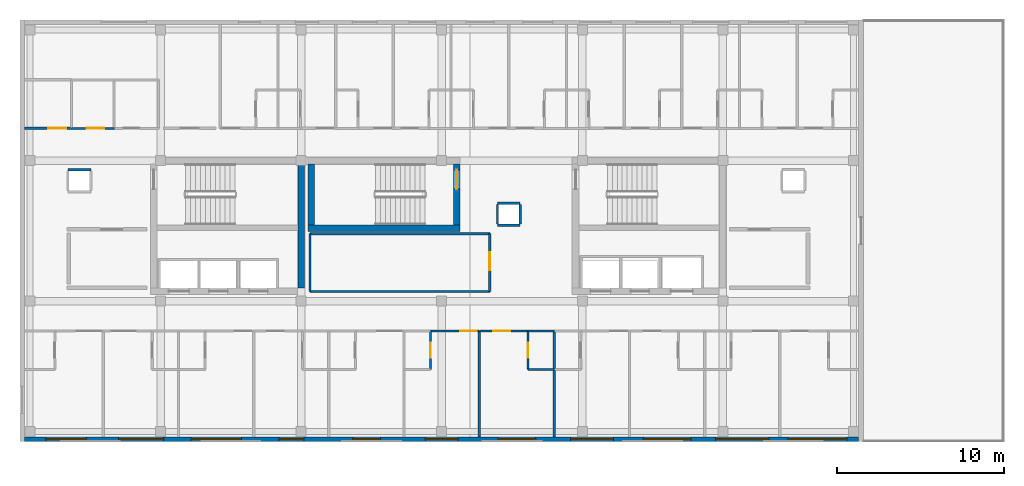
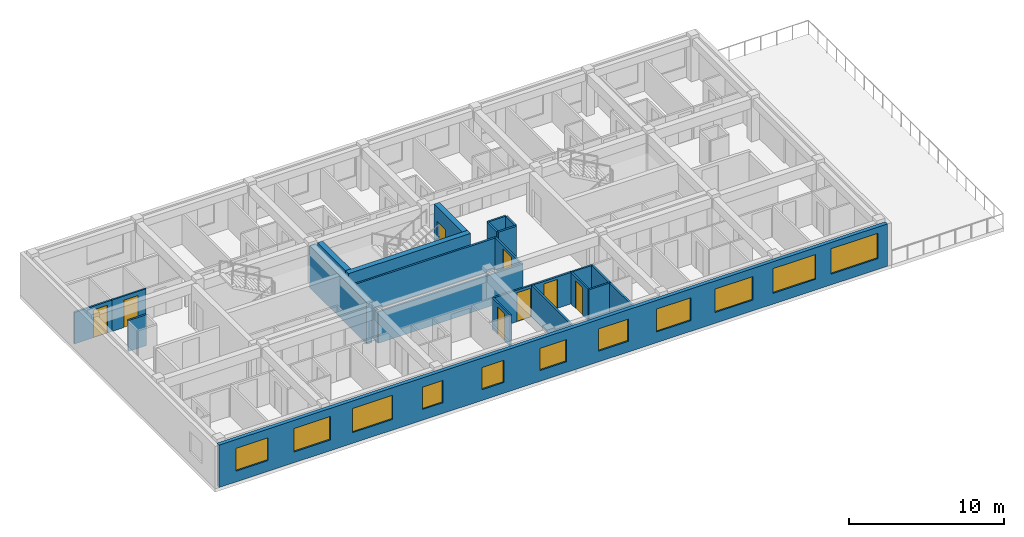
# One storey, part 3 of 9: 24 walls, 11 windows, 8 doors, 19 openings.
"""IFC4 building model written with IfcOpenShell, lengths in metres."""

import ifcopenshell
import ifcopenshell.guid

model = None  # the IFC model being written
_history = None  # IfcOwnerHistory: only IFC2X3 demands one
_inside = {}  # id of a spatial element -> (the spatial element, [elements in it])
_under = {}  # id of a project, library or spatial element -> (it, [spatial elements below it])
_declared = {}  # id of a project -> (the project, [libraries it declares])
_typed = {}  # id of a type object -> (the type object, [elements of that type])
_made_of = {}  # id of a material, layer set ... -> (it, [elements and type objects made of it])


def new_model(schema):
    """Start an empty IFC model of exactly this schema.

    Asked for "IFC4X3", IfcOpenShell would pick the latest addendum, in which some entities
    have other attributes; the version numbers below select the first issue.
    IFC2X3 requires an IfcOwnerHistory on every rooted entity: one is made here for all.
    """
    global model, _history
    if schema == "IFC4X3":
        model = ifcopenshell.file(schema_version=(4, 3, 0, 0))
    else:
        model = ifcopenshell.file(schema=schema)
    _inside.clear()
    _under.clear()
    _declared.clear()
    _typed.clear()
    _made_of.clear()
    _history = None
    if model.schema == "IFC2X3":
        org = make("IfcOrganization", Name="unknown")
        user = make(
            "IfcPersonAndOrganization",
            ThePerson=make("IfcPerson", FamilyName="unknown"),
            TheOrganization=org,
        )
        app = make(
            "IfcApplication",
            ApplicationDeveloper=org,
            Version="unknown",
            ApplicationFullName="unknown",
            ApplicationIdentifier="unknown",
        )
        _history = make(
            "IfcOwnerHistory",
            OwningUser=user,
            OwningApplication=app,
            ChangeAction="ADDED",
            CreationDate=0,
        )
    return model


def make(cls, **values):
    """One entity of the class cls with the attributes given. An attribute that is None is left unset."""
    return model.create_entity(
        cls, **{name: value for name, value in values.items() if value is not None}
    )


def rooted(cls, **values):
    """An entity with a GlobalId (a new one), such as an element, a storey or a relation."""
    return make(cls, GlobalId=ifcopenshell.guid.new(), OwnerHistory=_history, **values)


def si_unit(unit_type, name, prefix=None):
    """IfcSIUnit, for example si_unit("LENGTHUNIT", "METRE", prefix="MILLI")."""
    return make("IfcSIUnit", UnitType=unit_type, Prefix=prefix, Name=name)


def assignment(units):
    """IfcUnitAssignment: the units of a project."""
    return None if units is None else make("IfcUnitAssignment", Units=units)


def point(xyz):
    """IfcCartesianPoint."""
    return None if xyz is None else make("IfcCartesianPoint", Coordinates=xyz)


def direction(xyz):
    """IfcDirection."""
    return None if xyz is None else make("IfcDirection", DirectionRatios=xyz)


def frame(location, z_axis=None, x_axis=None):
    """IfcAxis2Placement3D, a coordinate frame: its origin and axes. An axis left out is left unset."""
    return make(
        "IfcAxis2Placement3D",
        Location=point(location),
        Axis=direction(z_axis),
        RefDirection=direction(x_axis),
    )


def frame_2d(location, x_axis=None):
    """IfcAxis2Placement2D, a coordinate frame in the plane: its origin and x axis."""
    return make(
        "IfcAxis2Placement2D", Location=point(location), RefDirection=direction(x_axis)
    )


def origin():
    """The frame at (0, 0, 0) with its axes left unset."""
    return frame((0.0, 0.0, 0.0))


def place(relative_to, where):
    """IfcLocalPlacement: puts the frame where relative to a parent placement (None: the world)."""
    return make(
        "IfcLocalPlacement", PlacementRelTo=relative_to, RelativePlacement=where
    )


def context(
    kind, dimensions, precision=None, world=None, true_north=None, identifier=None
):
    """IfcGeometricRepresentationContext, for example the 3D "Model" context."""
    return make(
        "IfcGeometricRepresentationContext",
        ContextIdentifier=identifier,
        ContextType=kind,
        CoordinateSpaceDimension=dimensions,
        Precision=precision,
        WorldCoordinateSystem=world,
        TrueNorth=true_north,
    )


def subcontext(parent, identifier, kind, view, scale=None):
    """IfcGeometricRepresentationSubContext, for example "Body" below "Model"."""
    return make(
        "IfcGeometricRepresentationSubContext",
        ContextIdentifier=identifier,
        ContextType=kind,
        ParentContext=parent,
        TargetScale=scale,
        TargetView=view,
    )


def project(units=None, contexts=None):
    """IfcProject with its units and contexts."""
    return rooted(
        "IfcProject",
        Name="project",
        RepresentationContexts=contexts,
        UnitsInContext=assignment(units),
    )


def spatial(cls, under=None, at=None, **own):
    """A site, building, storey or space (cls), placed at a placement, below another one or the project."""
    s = rooted(cls, ObjectPlacement=at, **own)
    if under is not None:
        _under.setdefault(under.id(), (under, []))[1].append(s)
    return s


def profile(cls, at=None, kind="AREA", **sizes):
    """A parametric profile (cls). Its sizes go by their IFC names, for example OverallWidth=200.0."""
    return make(cls, ProfileType=kind, Position=at, **sizes)


def rectangle(**sizes):
    """IfcRectangleProfileDef."""
    return profile("IfcRectangleProfileDef", **sizes)


def extrude(swept, where, along, depth):
    """IfcExtrudedAreaSolid: the profile swept, set in the frame where, extruded along a direction by depth."""
    return make(
        "IfcExtrudedAreaSolid",
        SweptArea=swept,
        Position=where,
        ExtrudedDirection=direction(along),
        Depth=depth,
    )


def shape(context_of_items, identifier, shape_type, items):
    """IfcShapeRepresentation: the items that make up one representation, for example the "Body"."""
    return make(
        "IfcShapeRepresentation",
        ContextOfItems=context_of_items,
        RepresentationIdentifier=identifier,
        RepresentationType=shape_type,
        Items=items,
    )


def material(Name=None, Category=None):
    """IfcMaterial."""
    return make("IfcMaterial", Name=Name, Category=Category)


def layer(
    of_material, thickness, ventilated=None, Name=None, Category=None, Priority=None
):
    """IfcMaterialLayer: one layer of a wall or slab, of a material (None: an air gap)."""
    return make(
        "IfcMaterialLayer",
        Material=of_material,
        LayerThickness=thickness,
        IsVentilated=ventilated,
        Name=Name,
        Category=Category,
        Priority=Priority,
    )


def layer_set(layers, Name=None):
    """IfcMaterialLayerSet."""
    return make("IfcMaterialLayerSet", MaterialLayers=layers, LayerSetName=Name)


def made_of(thing, what):
    """Note that an element or type object is made of a material, layer set ...; save() writes the relation."""
    if what is not None:
        _made_of.setdefault(what.id(), (what, []))[1].append(thing)
    return thing


def type_object(cls, material=None, **own):
    """A type object (cls), such as IfcWallType, which elements share."""
    return made_of(rooted(cls, **own), material)


def element(
    cls,
    number,
    at=None,
    inside=None,
    cuts=None,
    type_object=None,
    material=None,
    context=None,
    identifier="Body",
    shape_type=None,
    held_by="IfcProductDefinitionShape",
    body=None,
    shapes=None,
    **own,
):
    """One element of the class cls, such as IfcWall. Its Tag is "e" and its number.

    at: its placement. inside: the storey or other place that contains it. cuts: it is an
    opening in that element (IfcRelVoidsElement). A single representation is given by context,
    identifier, shape_type and body (its items); several are given by shapes. held_by: the class
    of the entity that holds the representations. save() writes the other relations.
    """
    e = rooted(cls, Tag="e%d" % number, ObjectPlacement=at, **own)
    if body is not None:
        shapes = [shape(context, identifier, shape_type, body)]
    if shapes is not None:
        e.Representation = make(held_by, Representations=shapes)
    if inside is not None:
        _inside.setdefault(inside.id(), (inside, []))[1].append(e)
    if cuts is not None:
        rooted(
            "IfcRelVoidsElement", RelatingBuildingElement=cuts, RelatedOpeningElement=e
        )
    if type_object is not None:
        _typed.setdefault(type_object.id(), (type_object, []))[1].append(e)
    return made_of(e, material)


def fill(opening, filler):
    """IfcRelFillsElement: the door or window that sits in an opening."""
    return rooted(
        "IfcRelFillsElement",
        RelatingOpeningElement=opening,
        RelatedBuildingElement=filler,
    )


def aggregate(whole, parts):
    """IfcRelAggregates: a whole, such as a stair, and the parts it consists of."""
    return rooted("IfcRelAggregates", RelatingObject=whole, RelatedObjects=parts)


def save(model, path):
    """Write the relations noted so far, then the file.

    IfcRelAggregates (storeys below a building ...), IfcRelContainedInSpatialStructure (elements
    in a storey), IfcRelDefinesByType, IfcRelAssociatesMaterial and IfcRelDeclares: one each for
    every whole, place, type object, material and project.
    """
    for whole, parts in _under.values():
        aggregate(whole, parts)
    for where, things in _inside.values():
        rooted(
            "IfcRelContainedInSpatialStructure",
            RelatedElements=things,
            RelatingStructure=where,
        )
    for kind, things in _typed.values():
        rooted("IfcRelDefinesByType", RelatedObjects=things, RelatingType=kind)
    for what, things in _made_of.values():
        rooted("IfcRelAssociatesMaterial", RelatedObjects=things, RelatingMaterial=what)
    for by, libraries in _declared.values():
        rooted("IfcRelDeclares", RelatingContext=by, RelatedDefinitions=libraries)
    model.write(path)


model = new_model("IFC4")

# Units and contexts
model_context = context("Model", 3, precision=1e-05, world=origin(), true_north=direction((0.0, 1.0)))
body_context = subcontext(model_context, "Body", "Model", "MODEL_VIEW")
ifc_project = project(units=[si_unit("LENGTHUNIT", "METRE"), si_unit("AREAUNIT", "SQUARE_METRE"), si_unit("VOLUMEUNIT", "CUBIC_METRE"), si_unit("PLANEANGLEUNIT", "RADIAN"), si_unit("MASSUNIT", "GRAM", prefix="KILO")], contexts=[model_context])

# Site, building, storey
site_placement = place(None, origin())
site = spatial("IfcSite", under=ifc_project, at=site_placement, CompositionType="ELEMENT")
building_placement = place(site_placement, origin())
building = spatial("IfcBuilding", under=site, at=building_placement, Name="Zayran Congress Hotel", CompositionType="ELEMENT")
storey_placement = place(building_placement, frame((0.0, 0.0, 40.800048828125)))
storey = spatial("IfcBuildingStorey", under=building, at=storey_placement, Name="L10", CompositionType="ELEMENT", Elevation=40.800048828125)

# Wall, openings, windows
ifc_material_1 = material(Name="Hajar Ma'ani limestone cavity wall and concrete C32/40", Category="masonry")
ifc_layer_1 = layer(ifc_material_1, 0.280029296875)
ifc_layer_set_1 = layer_set([ifc_layer_1], Name="Hajar Ma'ani limestone cavity wall and concrete C32/40")
wall_type_1 = type_object("IfcWallType", Name="WL-EX-280", PredefinedType="SOLIDWALL", material=ifc_layer_set_1)
wall_1_placement = place(storey_placement, frame((66.919921875, 8.93994140625, 0.0), z_axis=(0.0, 0.0, 1.0), x_axis=(-1.0, 0.0, 0.0)))
wall_1 = element("IfcWall", 1, at=wall_1_placement, inside=storey, type_object=wall_type_1, Name="EW-V5-S-L10", PredefinedType="SOLIDWALL", context=body_context, shape_type="SweptSolid", body=[
    extrude(rectangle(XDim=49.83984375, YDim=0.280029296875, at=frame_2d((24.919921875, 0.0))), origin(), (0.0, 0.0, 1.0), 3.33984375),
])
opening_1_placement = place(wall_1_placement, frame((46.175048828125, 0.0, 0.85009765625)))
opening_1 = element("IfcOpeningElement", 2, at=opening_1_placement, cuts=wall_1, Name="Opening WN-03", PredefinedType="OPENING", context=body_context, shape_type="SweptSolid", body=[
    extrude(rectangle(XDim=2.39990234375, YDim=1.800048828125, at=frame_2d((1.199951171875, 0.89990234375))), frame((0.0, 0.14990234375, 0.0), z_axis=(0.0, -1.0, 0.0), x_axis=(1.0, 0.0, 0.0)), (0.0, 0.0, 1.0), 0.300048828125),
])
opening_2_placement = place(wall_1_placement, frame((41.532958984375, 0.0, 0.85009765625)))
opening_2 = element("IfcOpeningElement", 3, at=opening_2_placement, cuts=wall_1, Name="Opening WN-04", PredefinedType="OPENING", context=body_context, shape_type="SweptSolid", body=[
    extrude(rectangle(XDim=2.699951171875, YDim=1.85009765625, at=frame_2d((1.35009765625, 0.925048828125))), frame((0.0, 0.14990234375, 0.0), z_axis=(0.0, -1.0, 0.0), x_axis=(1.0, 0.0, 0.0)), (0.0, 0.0, 1.0), 0.300048828125),
])
opening_3_placement = place(wall_1_placement, frame((36.89208984375, 0.0, 0.85009765625)))
opening_3 = element("IfcOpeningElement", 4, at=opening_3_placement, cuts=wall_1, Name="Opening WN-05", PredefinedType="OPENING", context=body_context, shape_type="SweptSolid", body=[
    extrude(rectangle(XDim=3.0, YDim=1.89990234375, at=frame_2d((1.5, 0.949951171875))), frame((0.0, 0.14990234375, 0.0), z_axis=(0.0, -1.0, 0.0), x_axis=(1.0, 0.0, 0.0)), (0.0, 0.0, 1.0), 0.300048828125),
])
opening_4_placement = place(wall_1_placement, frame((33.15087890625, 0.0, 0.85009765625)))
opening_4 = element("IfcOpeningElement", 5, at=opening_4_placement, cuts=wall_1, Name="Opening WN-06", PredefinedType="OPENING", context=body_context, shape_type="SweptSolid", body=[
    extrude(rectangle(XDim=1.5, YDim=1.75, at=frame_2d((0.75, 0.875))), frame((0.0, 0.14990234375, 0.0), z_axis=(0.0, -1.0, 0.0), x_axis=(1.0, 0.0, 0.0)), (0.0, 0.0, 1.0), 0.300048828125),
])
opening_5_placement = place(wall_1_placement, frame((28.5849609375, 0.0, 0.85009765625)))
opening_5 = element("IfcOpeningElement", 6, at=opening_5_placement, cuts=wall_1, Name="Opening WN-07", PredefinedType="OPENING", context=body_context, shape_type="SweptSolid", body=[
    extrude(rectangle(XDim=1.64990234375, YDim=1.75, at=frame_2d((0.824951171875, 0.875))), frame((0.0, 0.14990234375, 0.0), z_axis=(0.0, -1.0, 0.0), x_axis=(1.0, 0.0, 0.0)), (0.0, 0.0, 1.0), 0.300048828125),
])
opening_6_placement = place(wall_1_placement, frame((23.945068359375, 0.0, 0.85009765625)))
opening_6 = element("IfcOpeningElement", 7, at=opening_6_placement, cuts=wall_1, Name="Opening WN-08", PredefinedType="OPENING", context=body_context, shape_type="SweptSolid", body=[
    extrude(rectangle(XDim=1.949951171875, YDim=1.75, at=frame_2d((0.97509765625, 0.875))), frame((0.0, 0.14990234375, 0.0), z_axis=(0.0, -1.0, 0.0), x_axis=(1.0, 0.0, 0.0)), (0.0, 0.0, 1.0), 0.300048828125),
])
opening_7_placement = place(wall_1_placement, frame((19.304931640625, 0.0, 0.85009765625)))
opening_7 = element("IfcOpeningElement", 8, at=opening_7_placement, cuts=wall_1, Name="Opening WN-09", PredefinedType="OPENING", context=body_context, shape_type="SweptSolid", body=[
    extrude(rectangle(XDim=2.25, YDim=1.75, at=frame_2d((1.125, 0.875))), frame((0.0, 0.14990234375, 0.0), z_axis=(0.0, -1.0, 0.0), x_axis=(1.0, 0.0, 0.0)), (0.0, 0.0, 1.0), 0.300048828125),
])
opening_8_placement = place(wall_1_placement, frame((14.6640625, 0.0, 0.85009765625)))
opening_8 = element("IfcOpeningElement", 9, at=opening_8_placement, cuts=wall_1, Name="Opening WN-10", PredefinedType="OPENING", context=body_context, shape_type="SweptSolid", body=[
    extrude(rectangle(XDim=2.550048828125, YDim=1.800048828125, at=frame_2d((1.27490234375, 0.89990234375))), frame((0.0, 0.14990234375, 0.0), z_axis=(0.0, -1.0, 0.0), x_axis=(1.0, 0.0, 0.0)), (0.0, 0.0, 1.0), 0.300048828125),
])
opening_9_placement = place(wall_1_placement, frame((10.02294921875, 0.0, 0.85009765625)))
opening_9 = element("IfcOpeningElement", 10, at=opening_9_placement, cuts=wall_1, Name="Opening WN-11", PredefinedType="OPENING", context=body_context, shape_type="SweptSolid", body=[
    extrude(rectangle(XDim=2.85009765625, YDim=1.85009765625, at=frame_2d((1.425048828125, 0.925048828125))), frame((0.0, 0.14990234375, 0.0), z_axis=(0.0, -1.0, 0.0), x_axis=(1.0, 0.0, 0.0)), (0.0, 0.0, 1.0), 0.300048828125),
])
opening_10_placement = place(wall_1_placement, frame((5.35693359375, 0.0, 0.85009765625)))
opening_10 = element("IfcOpeningElement", 11, at=opening_10_placement, cuts=wall_1, Name="Opening WN-12", PredefinedType="OPENING", context=body_context, shape_type="SweptSolid", body=[
    extrude(rectangle(XDim=3.199951171875, YDim=1.949951171875, at=frame_2d((1.60009765625, 0.97509765625))), frame((0.0, 0.14990234375, 0.0), z_axis=(0.0, -1.0, 0.0), x_axis=(1.0, 0.0, 0.0)), (0.0, 0.0, 1.0), 0.300048828125),
])
opening_11_placement = place(wall_1_placement, frame((0.716064453125, 0.0, 0.85009765625)))
opening_11 = element("IfcOpeningElement", 12, at=opening_11_placement, cuts=wall_1, Name="Opening WN-13", PredefinedType="OPENING", context=body_context, shape_type="SweptSolid", body=[
    extrude(rectangle(XDim=3.5, YDim=2.0, at=frame_2d((1.75, 1.0))), frame((0.0, 0.14990234375, 0.0), z_axis=(0.0, -1.0, 0.0), x_axis=(1.0, 0.0, 0.0)), (0.0, 0.0, 1.0), 0.300048828125),
])
ifc_material_2 = material(Name="Anodised aluminium and low-E insulated glass", Category="aluminium")
window_type_1 = type_object("IfcWindowType", Name="TP-WN-03", PartitioningType="DOUBLE_PANEL_VERTICAL", PredefinedType="WINDOW", material=ifc_material_2)
window_1_placement = place(opening_1_placement, origin())
window_1 = element("IfcWindow", 13, at=window_1_placement, inside=storey, type_object=window_type_1, Name="WIN-V5S-L10-0442", OverallHeight=1.800048828125, OverallWidth=2.39990234375, PartitioningType="SINGLE_PANEL", PredefinedType="WINDOW", context=body_context, shape_type="SweptSolid", body=[
    extrude(rectangle(XDim=2.39990234375, YDim=1.800048828125, at=frame_2d((1.199951171875, 0.89990234375))), frame((0.0, 0.030029296875, 0.0), z_axis=(0.0, -1.0, 0.0), x_axis=(1.0, 0.0, 0.0)), (0.0, 0.0, 1.0), 0.06005859375),
])
fill(opening_1, window_1)
window_type_2 = type_object("IfcWindowType", Name="TP-WN-04", PartitioningType="TRIPLE_PANEL_VERTICAL", PredefinedType="WINDOW", material=ifc_material_2)
window_2_placement = place(opening_2_placement, origin())
window_2 = element("IfcWindow", 14, at=window_2_placement, inside=storey, type_object=window_type_2, Name="WIN-V5S-L10-0443", OverallHeight=1.85009765625, OverallWidth=2.699951171875, PartitioningType="SINGLE_PANEL", PredefinedType="WINDOW", context=body_context, shape_type="SweptSolid", body=[
    extrude(rectangle(XDim=2.699951171875, YDim=1.85009765625, at=frame_2d((1.35009765625, 0.925048828125))), frame((0.0, 0.030029296875, 0.0), z_axis=(0.0, -1.0, 0.0), x_axis=(1.0, 0.0, 0.0)), (0.0, 0.0, 1.0), 0.06005859375),
])
fill(opening_2, window_2)
window_type_3 = type_object("IfcWindowType", Name="TP-WN-05", PartitioningType="TRIPLE_PANEL_VERTICAL", PredefinedType="WINDOW", material=ifc_material_2)
window_3_placement = place(opening_3_placement, origin())
window_3 = element("IfcWindow", 15, at=window_3_placement, inside=storey, type_object=window_type_3, Name="WIN-V5S-L10-0444", OverallHeight=1.89990234375, OverallWidth=3.0, PartitioningType="SINGLE_PANEL", PredefinedType="WINDOW", context=body_context, shape_type="SweptSolid", body=[
    extrude(rectangle(XDim=3.0, YDim=1.89990234375, at=frame_2d((1.5, 0.949951171875))), frame((0.0, 0.030029296875, 0.0), z_axis=(0.0, -1.0, 0.0), x_axis=(1.0, 0.0, 0.0)), (0.0, 0.0, 1.0), 0.06005859375),
])
fill(opening_3, window_3)
window_type_4 = type_object("IfcWindowType", Name="TP-WN-06", PartitioningType="SINGLE_PANEL", PredefinedType="WINDOW", material=ifc_material_2)
window_4_placement = place(opening_4_placement, origin())
window_4 = element("IfcWindow", 16, at=window_4_placement, inside=storey, type_object=window_type_4, Name="WIN-V5S-L10-0445", OverallHeight=1.75, OverallWidth=1.5, PartitioningType="SINGLE_PANEL", PredefinedType="WINDOW", context=body_context, shape_type="SweptSolid", body=[
    extrude(rectangle(XDim=1.5, YDim=1.75, at=frame_2d((0.75, 0.875))), frame((0.0, 0.030029296875, 0.0), z_axis=(0.0, -1.0, 0.0), x_axis=(1.0, 0.0, 0.0)), (0.0, 0.0, 1.0), 0.06005859375),
])
fill(opening_4, window_4)
window_type_5 = type_object("IfcWindowType", Name="TP-WN-07", PartitioningType="SINGLE_PANEL", PredefinedType="WINDOW", material=ifc_material_2)
window_5_placement = place(opening_5_placement, origin())
window_5 = element("IfcWindow", 17, at=window_5_placement, inside=storey, type_object=window_type_5, Name="WIN-V5S-L10-0446", OverallHeight=1.75, OverallWidth=1.64990234375, PartitioningType="SINGLE_PANEL", PredefinedType="WINDOW", context=body_context, shape_type="SweptSolid", body=[
    extrude(rectangle(XDim=1.64990234375, YDim=1.75, at=frame_2d((0.824951171875, 0.875))), frame((0.0, 0.030029296875, 0.0), z_axis=(0.0, -1.0, 0.0), x_axis=(1.0, 0.0, 0.0)), (0.0, 0.0, 1.0), 0.06005859375),
])
fill(opening_5, window_5)
window_type_6 = type_object("IfcWindowType", Name="TP-WN-08", PartitioningType="DOUBLE_PANEL_VERTICAL", PredefinedType="WINDOW", material=ifc_material_2)
window_6_placement = place(opening_6_placement, origin())
window_6 = element("IfcWindow", 18, at=window_6_placement, inside=storey, type_object=window_type_6, Name="WIN-V5S-L10-0447", OverallHeight=1.75, OverallWidth=1.949951171875, PartitioningType="SINGLE_PANEL", PredefinedType="WINDOW", context=body_context, shape_type="SweptSolid", body=[
    extrude(rectangle(XDim=1.949951171875, YDim=1.75, at=frame_2d((0.97509765625, 0.875))), frame((0.0, 0.030029296875, 0.0), z_axis=(0.0, -1.0, 0.0), x_axis=(1.0, 0.0, 0.0)), (0.0, 0.0, 1.0), 0.06005859375),
])
fill(opening_6, window_6)
window_type_7 = type_object("IfcWindowType", Name="TP-WN-09", PartitioningType="DOUBLE_PANEL_VERTICAL", PredefinedType="WINDOW", material=ifc_material_2)
window_7_placement = place(opening_7_placement, origin())
window_7 = element("IfcWindow", 19, at=window_7_placement, inside=storey, type_object=window_type_7, Name="WIN-V5S-L10-0448", OverallHeight=1.75, OverallWidth=2.25, PartitioningType="SINGLE_PANEL", PredefinedType="WINDOW", context=body_context, shape_type="SweptSolid", body=[
    extrude(rectangle(XDim=2.25, YDim=1.75, at=frame_2d((1.125, 0.875))), frame((0.0, 0.030029296875, 0.0), z_axis=(0.0, -1.0, 0.0), x_axis=(1.0, 0.0, 0.0)), (0.0, 0.0, 1.0), 0.06005859375),
])
fill(opening_7, window_7)
window_type_8 = type_object("IfcWindowType", Name="TP-WN-10", PartitioningType="DOUBLE_PANEL_VERTICAL", PredefinedType="WINDOW", material=ifc_material_2)
window_8_placement = place(opening_8_placement, origin())
window_8 = element("IfcWindow", 20, at=window_8_placement, inside=storey, type_object=window_type_8, Name="WIN-V5S-L10-0449", OverallHeight=1.800048828125, OverallWidth=2.550048828125, PartitioningType="SINGLE_PANEL", PredefinedType="WINDOW", context=body_context, shape_type="SweptSolid", body=[
    extrude(rectangle(XDim=2.550048828125, YDim=1.800048828125, at=frame_2d((1.27490234375, 0.89990234375))), frame((0.0, 0.030029296875, 0.0), z_axis=(0.0, -1.0, 0.0), x_axis=(1.0, 0.0, 0.0)), (0.0, 0.0, 1.0), 0.06005859375),
])
fill(opening_8, window_8)
window_type_9 = type_object("IfcWindowType", Name="TP-WN-11", PartitioningType="TRIPLE_PANEL_VERTICAL", PredefinedType="WINDOW", material=ifc_material_2)
window_9_placement = place(opening_9_placement, origin())
window_9 = element("IfcWindow", 21, at=window_9_placement, inside=storey, type_object=window_type_9, Name="WIN-V5S-L10-0450", OverallHeight=1.85009765625, OverallWidth=2.85009765625, PartitioningType="SINGLE_PANEL", PredefinedType="WINDOW", context=body_context, shape_type="SweptSolid", body=[
    extrude(rectangle(XDim=2.85009765625, YDim=1.85009765625, at=frame_2d((1.425048828125, 0.925048828125))), frame((0.0, 0.030029296875, 0.0), z_axis=(0.0, -1.0, 0.0), x_axis=(1.0, 0.0, 0.0)), (0.0, 0.0, 1.0), 0.06005859375),
])
fill(opening_9, window_9)
window_type_10 = type_object("IfcWindowType", Name="TP-WN-12", PartitioningType="TRIPLE_PANEL_VERTICAL", PredefinedType="WINDOW", material=ifc_material_2)
window_10_placement = place(opening_10_placement, origin())
window_10 = element("IfcWindow", 22, at=window_10_placement, inside=storey, type_object=window_type_10, Name="WIN-V5S-L10-0451", OverallHeight=1.949951171875, OverallWidth=3.199951171875, PartitioningType="SINGLE_PANEL", PredefinedType="WINDOW", context=body_context, shape_type="SweptSolid", body=[
    extrude(rectangle(XDim=3.199951171875, YDim=1.949951171875, at=frame_2d((1.60009765625, 0.97509765625))), frame((0.0, 0.030029296875, 0.0), z_axis=(0.0, -1.0, 0.0), x_axis=(1.0, 0.0, 0.0)), (0.0, 0.0, 1.0), 0.06005859375),
])
fill(opening_10, window_10)
window_type_11 = type_object("IfcWindowType", Name="TP-WN-13", PartitioningType="TRIPLE_PANEL_VERTICAL", PredefinedType="WINDOW", material=ifc_material_2)
window_11_placement = place(opening_11_placement, origin())
window_11 = element("IfcWindow", 23, at=window_11_placement, inside=storey, type_object=window_type_11, Name="WIN-V5S-L10-0452", OverallHeight=2.0, OverallWidth=3.5, PartitioningType="SINGLE_PANEL", PredefinedType="WINDOW", context=body_context, shape_type="SweptSolid", body=[
    extrude(rectangle(XDim=3.5, YDim=2.0, at=frame_2d((1.75, 1.0))), frame((0.0, 0.030029296875, 0.0), z_axis=(0.0, -1.0, 0.0), x_axis=(1.0, 0.0, 0.0)), (0.0, 0.0, 1.0), 0.06005859375),
])
fill(opening_11, window_11)

# Walls
ifc_material_3 = material(Name="Concrete C40/50", Category="concrete")
ifc_layer_2 = layer(ifc_material_3, 0.39990234375)
ifc_layer_set_2 = layer_set([ifc_layer_2], Name="Concrete C40/50")
wall_type_2 = type_object("IfcWallType", Name="WL-SH-400", PredefinedType="SHEAR", material=ifc_layer_set_2)
wall_2_placement = place(storey_placement, frame((33.60009765625, 18.0, 0.0), z_axis=(0.0, 0.0, 1.0), x_axis=(0.0, 1.0, 0.0)))
element("IfcWall", 24, at=wall_2_placement, inside=storey, type_object=wall_type_2, Name="CWALL-C-V5W-L10-E", PredefinedType="SHEAR", context=body_context, shape_type="SweptSolid", body=[
    extrude(rectangle(XDim=7.39990234375, YDim=0.39990234375, at=frame_2d((3.699951171875, 0.0))), origin(), (0.0, 0.0, 1.0), 3.320068359375),
])
wall_3_placement = place(storey_placement, frame((34.0, 21.56005859375, 0.0), z_axis=(0.0, 0.0, 1.0), x_axis=(1.0, 0.0, 0.0)))
element("IfcWall", 25, at=wall_3_placement, inside=storey, type_object=wall_type_2, Name="CWALL-C-V5M-L10-S", PredefinedType="SHEAR", context=body_context, shape_type="SweptSolid", body=[
    extrude(rectangle(XDim=9.10009765625, YDim=0.39990234375, at=frame_2d((4.550048828125, 0.0))), origin(), (0.0, 0.0, 1.0), 3.320068359375),
])
wall_4_placement = place(storey_placement, frame((34.199951171875, 25.39990234375, 0.0), z_axis=(0.0, 0.0, 1.0), x_axis=(0.0, -1.0, 0.0)))
element("IfcWall", 26, at=wall_4_placement, inside=storey, type_object=wall_type_2, Name="CWALL-C-V5M-L10-W", PredefinedType="SHEAR", context=body_context, shape_type="SweptSolid", body=[
    extrude(rectangle(XDim=3.639892578125, YDim=0.39990234375, at=frame_2d((1.81982421875, 0.0))), origin(), (0.0, 0.0, 1.0), 3.320068359375),
])

# Wall, opening, door
wall_5_placement = place(storey_placement, frame((42.89990234375, 21.760009765625, 0.0), z_axis=(0.0, 0.0, 1.0), x_axis=(0.0, 1.0, 0.0)))
wall_5 = element("IfcWall", 27, at=wall_5_placement, inside=storey, type_object=wall_type_2, Name="CWALL-C-V5M-L10-E", PredefinedType="SHEAR", context=body_context, shape_type="SweptSolid", body=[
    extrude(rectangle(XDim=3.639892578125, YDim=0.39990234375, at=frame_2d((1.81982421875, 0.0))), origin(), (0.0, 0.0, 1.0), 3.320068359375),
])
opening_12_placement = place(wall_5_placement, frame((2.139892578125, 0.0, 0.0)))
opening_12 = element("IfcOpeningElement", 28, at=opening_12_placement, cuts=wall_5, Name="Opening DR-FD-90", PredefinedType="OPENING", context=body_context, shape_type="SweptSolid", body=[
    extrude(rectangle(XDim=1.14990234375, YDim=2.199951171875, at=frame_2d((0.574951171875, 1.10009765625))), frame((0.0, 0.2099609375, 0.0), z_axis=(0.0, -1.0, 0.0), x_axis=(1.0, 0.0, 0.0)), (0.0, 0.0, 1.0), 0.419921875),
])
ifc_material_4 = material(Name="Painted steel fire door assembly", Category="steel")
door_type_1 = type_object("IfcDoorType", Name="TP-DR-FD-90", OperationType="NOTDEFINED", PredefinedType="DOOR", material=ifc_material_4)
door_1_placement = place(opening_12_placement, origin())
door_1 = element("IfcDoor", 29, at=door_1_placement, inside=storey, type_object=door_type_1, Name="ST-13 Exit Stair Door L10", OperationType="SINGLE_SWING_RIGHT", OverallHeight=2.199951171875, OverallWidth=1.14990234375, PredefinedType="DOOR", context=body_context, shape_type="SweptSolid", body=[
    extrude(rectangle(XDim=1.14990234375, YDim=2.199951171875, at=frame_2d((0.574951171875, 1.10009765625))), frame((0.0, 0.02490234375, 0.0), z_axis=(0.0, -1.0, 0.0), x_axis=(1.0, 0.0, 0.0)), (0.0, 0.0, 1.0), 0.050048828125),
])
fill(opening_12, door_1)

ifc_material_5 = material(Name="Hospitality guestroom acoustic partition", Category="gypsum")
ifc_layer_3 = layer(ifc_material_5, 0.139892578125)
ifc_layer_set_3 = layer_set([ifc_layer_3], Name="Hospitality guestroom acoustic partition")
wall_type_3 = type_object("IfcWallType", Name="WL-PT-140", PredefinedType="PARTITIONING", material=ifc_layer_set_3)
wall_6_placement = place(storey_placement, frame((44.8701171875, 17.77001953125, 0.0), z_axis=(0.0, 0.0, 1.0), x_axis=(0.0, 1.0, 0.0)))
wall_6 = element("IfcWall", 30, at=wall_6_placement, inside=storey, type_object=wall_type_3, Name="IW-L10-0812", PredefinedType="PARTITIONING", context=body_context, shape_type="SweptSolid", body=[
    extrude(rectangle(XDim=3.4599609375, YDim=0.139892578125, at=frame_2d((1.72998046875, 0.0))), origin(), (0.0, 0.0, 1.0), 2.47998046875),
])
opening_13_placement = place(wall_6_placement, frame((1.283935546875, 0.0, 0.0)))
opening_13 = element("IfcOpeningElement", 31, at=opening_13_placement, cuts=wall_6, Name="Opening DR-MT-01", PredefinedType="OPENING", context=body_context, shape_type="SweptSolid", body=[
    extrude(rectangle(XDim=1.080078125, YDim=2.25, at=frame_2d((0.5400390625, 1.125))), frame((0.0, 0.079833984375, 0.0), z_axis=(0.0, -1.0, 0.0), x_axis=(1.0, 0.0, 0.0)), (0.0, 0.0, 1.0), 0.159912109375),
])
ifc_material_6 = material(Name="Acoustic timber seminar room door", Category="wood")
door_type_2 = type_object("IfcDoorType", Name="TP-DR-MT-01", OperationType="NOTDEFINED", PredefinedType="DOOR", material=ifc_material_6)
door_2_placement = place(opening_13_placement, origin())
door_2 = element("IfcDoor", 32, at=door_2_placement, inside=storey, type_object=door_type_2, Name="Hospitality Gallery Lounge L10 Door", OperationType="SINGLE_SWING_RIGHT", OverallHeight=2.25, OverallWidth=1.080078125, PredefinedType="DOOR", context=body_context, shape_type="SweptSolid", body=[
    extrude(rectangle(XDim=1.080078125, YDim=2.25, at=frame_2d((0.5400390625, 1.125))), frame((0.0, 0.02490234375, 0.0), z_axis=(0.0, -1.0, 0.0), x_axis=(1.0, 0.0, 0.0)), (0.0, 0.0, 1.0), 0.050048828125),
])
fill(opening_13, door_2)

wall_7_placement = place(storey_placement, frame((41.333984375, 15.419921875, 0.0), z_axis=(0.0, 0.0, 1.0), x_axis=(1.0, 0.0, 0.0)))
wall_7 = element("IfcWall", 33, at=wall_7_placement, inside=storey, type_object=wall_type_3, Name="IW-L10-0818", PredefinedType="PARTITIONING", context=body_context, shape_type="SweptSolid", body=[
    extrude(rectangle(XDim=2.901123046875, YDim=0.139892578125, at=frame_2d((1.45068359375, 0.0))), origin(), (0.0, 0.0, 1.0), 2.47998046875),
])
opening_14_placement = place(wall_7_placement, frame((1.760986328125, 0.0, 0.0)))
opening_14 = element("IfcOpeningElement", 34, at=opening_14_placement, cuts=wall_7, Name="Opening DR-GR-04", PredefinedType="OPENING", context=body_context, shape_type="SweptSolid", body=[
    extrude(rectangle(XDim=1.0, YDim=2.280029296875, at=frame_2d((0.5, 1.14013671875))), frame((0.0, 0.079833984375, 0.0), z_axis=(0.0, -1.0, 0.0), x_axis=(1.0, 0.0, 0.0)), (0.0, 0.0, 1.0), 0.159912109375),
])
ifc_material_7 = material(Name="Diplomatic walnut veneer entry door", Category="wood")
door_type_3 = type_object("IfcDoorType", Name="TP-DR-GR-04", OperationType="NOTDEFINED", PredefinedType="DOOR", material=ifc_material_7)
door_3_placement = place(opening_14_placement, origin())
door_3 = element("IfcDoor", 35, at=door_3_placement, inside=storey, type_object=door_type_3, Name="Guest Room L10-06 Door", OperationType="SINGLE_SWING_LEFT", OverallHeight=2.280029296875, OverallWidth=1.0, PredefinedType="DOOR", context=body_context, shape_type="SweptSolid", body=[
    extrude(rectangle(XDim=1.0, YDim=2.280029296875, at=frame_2d((0.5, 1.14013671875))), frame((0.0, 0.02490234375, 0.0), z_axis=(0.0, -1.0, 0.0), x_axis=(1.0, 0.0, 0.0)), (0.0, 0.0, 1.0), 0.050048828125),
])
fill(opening_14, door_3)

wall_8_placement = place(storey_placement, frame((44.2548828125, 15.419921875, 0.0), z_axis=(0.0, 0.0, 1.0), x_axis=(1.0, 0.0, 0.0)))
wall_8 = element("IfcWall", 36, at=wall_8_placement, inside=storey, type_object=wall_type_3, Name="IW-L10-0819", PredefinedType="PARTITIONING", context=body_context, shape_type="SweptSolid", body=[
    extrude(rectangle(XDim=2.902099609375, YDim=0.139892578125, at=frame_2d((1.451171875, 0.0))), origin(), (0.0, 0.0, 1.0), 2.47998046875),
])
opening_15_placement = place(wall_8_placement, frame((0.8349609375, 0.0, 0.0)))
opening_15 = element("IfcOpeningElement", 37, at=opening_15_placement, cuts=wall_8, Name="Opening DR-GR-04", PredefinedType="OPENING", context=body_context, shape_type="SweptSolid", body=[
    extrude(rectangle(XDim=1.0, YDim=2.280029296875, at=frame_2d((0.5, 1.14013671875))), frame((0.0, 0.079833984375, 0.0), z_axis=(0.0, -1.0, 0.0), x_axis=(1.0, 0.0, 0.0)), (0.0, 0.0, 1.0), 0.159912109375),
])
door_4_placement = place(opening_15_placement, origin())
door_4 = element("IfcDoor", 38, at=door_4_placement, inside=storey, type_object=door_type_3, Name="Guest Room L10-07 Door", OperationType="SINGLE_SWING_RIGHT", OverallHeight=2.280029296875, OverallWidth=1.0, PredefinedType="DOOR", context=body_context, shape_type="SweptSolid", body=[
    extrude(rectangle(XDim=1.0, YDim=2.280029296875, at=frame_2d((0.5, 1.14013671875))), frame((0.0, 0.02490234375, 0.0), z_axis=(0.0, -1.0, 0.0), x_axis=(1.0, 0.0, 0.0)), (0.0, 0.0, 1.0), 0.050048828125),
])
fill(opening_15, door_4)

wall_9_placement = place(storey_placement, frame((17.080078125, 27.530029296875, 0.0), z_axis=(0.0, 0.0, 1.0), x_axis=(1.0, 0.0, 0.0)))
wall_9 = element("IfcWall", 39, at=wall_9_placement, inside=storey, type_object=wall_type_3, Name="IW-L10-0824", PredefinedType="PARTITIONING", context=body_context, shape_type="SweptSolid", body=[
    extrude(rectangle(XDim=2.7998046875, YDim=0.139892578125, at=frame_2d((1.39990234375, 0.0))), origin(), (0.0, 0.0, 1.0), 2.47998046875),
])
opening_16_placement = place(wall_9_placement, frame((1.409912109375, 0.0, 0.0)))
opening_16 = element("IfcOpeningElement", 40, at=opening_16_placement, cuts=wall_9, Name="Opening DR-PL-02", PredefinedType="OPENING", context=body_context, shape_type="SweptSolid", body=[
    extrude(rectangle(XDim=1.06005859375, YDim=2.199951171875, at=frame_2d((0.530029296875, 1.10009765625))), frame((0.0, 0.079833984375, 0.0), z_axis=(0.0, -1.0, 0.0), x_axis=(1.0, 0.0, 0.0)), (0.0, 0.0, 1.0), 0.159912109375),
])
ifc_material_8 = material(Name="Painted steel store room fire door", Category="steel")
door_type_4 = type_object("IfcDoorType", Name="TP-DR-PL-02", OperationType="NOTDEFINED", PredefinedType="DOOR", material=ifc_material_8)
door_5_placement = place(opening_16_placement, origin())
door_5 = element("IfcDoor", 41, at=door_5_placement, inside=storey, type_object=door_type_4, Name="Housekeeping and Linen Store L10 Door", OperationType="SINGLE_SWING_RIGHT", OverallHeight=2.199951171875, OverallWidth=1.06005859375, PredefinedType="DOOR", context=body_context, shape_type="SweptSolid", body=[
    extrude(rectangle(XDim=1.06005859375, YDim=2.199951171875, at=frame_2d((0.530029296875, 1.10009765625))), frame((0.0, 0.02490234375, 0.0), z_axis=(0.0, -1.0, 0.0), x_axis=(1.0, 0.0, 0.0)), (0.0, 0.0, 1.0), 0.050048828125),
])
fill(opening_16, door_5)

# Walls
for number, where, z_axis, x_axis, name in (
    (42, (34.1201171875, 17.780029296875, 0.0), (0.0, 0.0, 1.0), (1.0, 0.0, 0.0), "IW-L10-2146"),
    (43, (34.1201171875, 21.219970703125, 0.0), (0.0, 0.0, 1.0), (1.0, 0.0, 0.0), "IW-L10-2147"),
):
    element("IfcWall", number, at=place(storey_placement, frame(where, z_axis=z_axis, x_axis=x_axis)), inside=storey, type_object=wall_type_3, Name=name, PredefinedType="PARTITIONING", context=body_context, shape_type="SweptSolid", body=[
        extrude(rectangle(XDim=10.759765625, YDim=0.139892578125, at=frame_2d((5.3798828125, 0.0))), origin(), (0.0, 0.0, 1.0), 2.47998046875),
    ])
wall_10_placement = place(storey_placement, frame((34.1298828125, 17.77001953125, 0.0), z_axis=(0.0, 0.0, 1.0), x_axis=(0.0, 1.0, 0.0)))
element("IfcWall", 44, at=wall_10_placement, inside=storey, type_object=wall_type_3, Name="IW-L10-2148", PredefinedType="PARTITIONING", context=body_context, shape_type="SweptSolid", body=[
    extrude(rectangle(XDim=3.4599609375, YDim=0.139892578125, at=frame_2d((1.72998046875, 0.0))), origin(), (0.0, 0.0, 1.0), 2.47998046875),
])
for number, where, z_axis, x_axis, name in (
    (45, (44.235107421875, 9.080078125, 0.0), (0.0, 0.0, 1.0), (0.0, 1.0, 0.0), "IW-L10-2154"),
    (46, (48.72607421875, 9.080078125, 0.0), (0.0, 0.0, 1.0), (0.0, 1.0, 0.0), "IW-L10-2155"),
):
    element("IfcWall", number, at=place(storey_placement, frame(where, z_axis=z_axis, x_axis=x_axis)), inside=storey, type_object=wall_type_3, Name=name, PredefinedType="PARTITIONING", context=body_context, shape_type="SweptSolid", body=[
        extrude(rectangle(XDim=6.349853515625, YDim=0.139892578125, at=frame_2d((3.1748046875, 0.0))), origin(), (0.0, 0.0, 1.0), 2.47998046875),
    ])
wall_11_placement = place(storey_placement, frame((21.030029296875, 25.050048828125, 0.0), z_axis=(0.0, 0.0, 1.0), x_axis=(-1.0, 0.0, 0.0)))
element("IfcWall", 47, at=wall_11_placement, inside=storey, type_object=wall_type_3, Name="RSWL-V5-L10-053-N", PredefinedType="PARTITIONING", context=body_context, shape_type="SweptSolid", body=[
    extrude(rectangle(XDim=1.360107421875, YDim=0.139892578125, at=frame_2d((0.68017578125, 0.0))), origin(), (0.0, 0.0, 1.0), 2.43994140625),
])
for number, where, z_axis, x_axis, name in (
    (48, (45.330078125, 21.72998046875, 0.0), (0.0, 0.0, 1.0), (1.0, 0.0, 0.0), "RSWL-V5-L10-054-S"),
    (49, (46.68994140625, 23.050048828125, 0.0), (0.0, 0.0, 1.0), (-1.0, 0.0, 0.0), "RSWL-V5-L10-054-N"),
):
    element("IfcWall", number, at=place(storey_placement, frame(where, z_axis=z_axis, x_axis=x_axis)), inside=storey, type_object=wall_type_3, Name=name, PredefinedType="PARTITIONING", context=body_context, shape_type="SweptSolid", body=[
        extrude(rectangle(XDim=1.35986328125, YDim=0.139892578125, at=frame_2d((0.679931640625, 0.0))), origin(), (0.0, 0.0, 1.0), 2.43994140625),
    ])
for number, where, z_axis, x_axis, name in (
    (50, (45.330078125, 22.97998046875, 0.0), (0.0, 0.0, 1.0), (0.0, -1.0, 0.0), "RSWL-V5-L10-054-W"),
    (51, (46.68994140625, 21.800048828125, 0.0), (0.0, 0.0, 1.0), (0.0, 1.0, 0.0), "RSWL-V5-L10-054-E"),
):
    element("IfcWall", number, at=place(storey_placement, frame(where, z_axis=z_axis, x_axis=x_axis)), inside=storey, type_object=wall_type_3, Name=name, PredefinedType="PARTITIONING", context=body_context, shape_type="SweptSolid", body=[
        extrude(rectangle(XDim=1.179931640625, YDim=0.139892578125, at=frame_2d((0.58984375, 0.0))), origin(), (0.0, 0.0, 1.0), 2.43994140625),
    ])

# Wall, opening, door
ifc_material_9 = material(Name="Moisture-resistant bathroom partition", Category="gypsum")
ifc_layer_4 = layer(ifc_material_9, 0.1201171875)
ifc_layer_set_4 = layer_set([ifc_layer_4], Name="Moisture-resistant bathroom partition")
wall_type_4 = type_object("IfcWallType", Name="WL-PT-120", PredefinedType="PARTITIONING", material=ifc_layer_set_4)
wall_12_placement = place(storey_placement, frame((41.333984375, 13.1201171875, 0.0), z_axis=(0.0, 0.0, 1.0), x_axis=(0.0, 1.0, 0.0)))
wall_12 = element("IfcWall", 52, at=wall_12_placement, inside=storey, type_object=wall_type_4, Name="IW-L10-0300", PredefinedType="PARTITIONING", context=body_context, shape_type="SweptSolid", body=[
    extrude(rectangle(XDim=2.309814453125, YDim=0.1201171875, at=frame_2d((1.15478515625, 0.0))), origin(), (0.0, 0.0, 1.0), 2.47998046875),
])
opening_17_placement = place(wall_12_placement, frame((0.705078125, 0.0, 0.0)))
opening_17 = element("IfcOpeningElement", 53, at=opening_17_placement, cuts=wall_12, Name="Opening DR-BT-03", PredefinedType="OPENING", context=body_context, shape_type="SweptSolid", body=[
    extrude(rectangle(XDim=0.89990234375, YDim=2.179931640625, at=frame_2d((0.449951171875, 1.08984375))), frame((0.0, 0.070068359375, 0.0), z_axis=(0.0, -1.0, 0.0), x_axis=(1.0, 0.0, 0.0)), (0.0, 0.0, 1.0), 0.14013671875),
])
ifc_material_10 = material(Name="Suite oak en-suite bathroom door", Category="wood")
door_type_5 = type_object("IfcDoorType", Name="TP-DR-BT-03", OperationType="NOTDEFINED", PredefinedType="DOOR", material=ifc_material_10)
door_6_placement = place(opening_17_placement, origin())
door_6 = element("IfcDoor", 54, at=door_6_placement, inside=storey, type_object=door_type_5, Name="En-Suite Bathroom L10-06 Door", OperationType="SINGLE_SWING_LEFT", OverallHeight=2.179931640625, OverallWidth=0.89990234375, PredefinedType="DOOR", context=body_context, shape_type="SweptSolid", body=[
    extrude(rectangle(XDim=0.89990234375, YDim=2.179931640625, at=frame_2d((0.449951171875, 1.08984375))), frame((0.0, 0.02490234375, 0.0), z_axis=(0.0, -1.0, 0.0), x_axis=(1.0, 0.0, 0.0)), (0.0, 0.0, 1.0), 0.050048828125),
])
fill(opening_17, door_6)

wall_13_placement = place(storey_placement, frame((47.156982421875, 13.1201171875, 0.0), z_axis=(0.0, 0.0, 1.0), x_axis=(0.0, 1.0, 0.0)))
wall_13 = element("IfcWall", 55, at=wall_13_placement, inside=storey, type_object=wall_type_4, Name="IW-L10-0301", PredefinedType="PARTITIONING", context=body_context, shape_type="SweptSolid", body=[
    extrude(rectangle(XDim=2.309814453125, YDim=0.1201171875, at=frame_2d((1.15478515625, 0.0))), origin(), (0.0, 0.0, 1.0), 2.47998046875),
])
opening_18_placement = place(wall_13_placement, frame((0.705078125, 0.0, 0.0)))
opening_18 = element("IfcOpeningElement", 56, at=opening_18_placement, cuts=wall_13, Name="Opening DR-BT-03", PredefinedType="OPENING", context=body_context, shape_type="SweptSolid", body=[
    extrude(rectangle(XDim=0.89990234375, YDim=2.179931640625, at=frame_2d((0.449951171875, 1.08984375))), frame((0.0, 0.070068359375, 0.0), z_axis=(0.0, -1.0, 0.0), x_axis=(1.0, 0.0, 0.0)), (0.0, 0.0, 1.0), 0.14013671875),
])
door_7_placement = place(opening_18_placement, origin())
door_7 = element("IfcDoor", 57, at=door_7_placement, inside=storey, type_object=door_type_5, Name="En-Suite Bathroom L10-07 Door", OperationType="SINGLE_SWING_RIGHT", OverallHeight=2.179931640625, OverallWidth=0.89990234375, PredefinedType="DOOR", context=body_context, shape_type="SweptSolid", body=[
    extrude(rectangle(XDim=0.89990234375, YDim=2.179931640625, at=frame_2d((0.449951171875, 1.08984375))), frame((0.0, 0.02490234375, 0.0), z_axis=(0.0, -1.0, 0.0), x_axis=(1.0, 0.0, 0.0)), (0.0, 0.0, 1.0), 0.050048828125),
])
fill(opening_18, door_7)

wall_14_placement = place(storey_placement, frame((19.8798828125, 27.530029296875, 0.0), z_axis=(0.0, 0.0, 1.0), x_axis=(1.0, 0.0, 0.0)))
wall_14 = element("IfcWall", 58, at=wall_14_placement, inside=storey, type_object=wall_type_4, Name="IW-L10-0375", PredefinedType="PARTITIONING", context=body_context, shape_type="SweptSolid", body=[
    extrude(rectangle(XDim=2.56005859375, YDim=0.1201171875, at=frame_2d((1.280029296875, 0.0))), origin(), (0.0, 0.0, 1.0), 2.47998046875),
])
opening_19_placement = place(wall_14_placement, frame((0.9140625, 0.0, 0.0)))
opening_19 = element("IfcOpeningElement", 59, at=opening_19_placement, cuts=wall_14, Name="Opening DR-WC-02", PredefinedType="OPENING", context=body_context, shape_type="SweptSolid", body=[
    extrude(rectangle(XDim=1.0400390625, YDim=2.14990234375, at=frame_2d((0.52001953125, 1.074951171875))), frame((0.0, 0.070068359375, 0.0), z_axis=(0.0, -1.0, 0.0), x_axis=(1.0, 0.0, 0.0)), (0.0, 0.0, 1.0), 0.14013671875),
])
ifc_material_11 = material(Name="Accessible public washroom door", Category="steel")
door_type_6 = type_object("IfcDoorType", Name="TP-DR-WC-02", OperationType="NOTDEFINED", PredefinedType="DOOR", material=ifc_material_11)
door_8_placement = place(opening_19_placement, origin())
door_8 = element("IfcDoor", 60, at=door_8_placement, inside=storey, type_object=door_type_6, Name="Accessible WC L10 Door", OperationType="SINGLE_SWING_RIGHT", OverallHeight=2.14990234375, OverallWidth=1.0400390625, PredefinedType="DOOR", context=body_context, shape_type="SweptSolid", body=[
    extrude(rectangle(XDim=1.0400390625, YDim=2.14990234375, at=frame_2d((0.52001953125, 1.074951171875))), frame((0.0, 0.02490234375, 0.0), z_axis=(0.0, -1.0, 0.0), x_axis=(1.0, 0.0, 0.0)), (0.0, 0.0, 1.0), 0.050048828125),
])
fill(opening_19, door_8)

# Walls
for number, where, z_axis, x_axis, name in (
    (61, (47.14697265625, 13.1298828125, 0.0), (0.0, 0.0, 1.0), (1.0, 0.0, 0.0), "IW-L10-1469"),
    (62, (47.14697265625, 15.419921875, 0.0), (0.0, 0.0, 1.0), (1.0, 0.0, 0.0), "IW-L10-1470"),
):
    element("IfcWall", number, at=place(storey_placement, frame(where, z_axis=z_axis, x_axis=x_axis)), inside=storey, type_object=wall_type_4, Name=name, PredefinedType="PARTITIONING", context=body_context, shape_type="SweptSolid", body=[
        extrude(rectangle(XDim=1.589111328125, YDim=0.1201171875, at=frame_2d((0.79443359375, 0.0))), origin(), (0.0, 0.0, 1.0), 2.47998046875),
    ])

save(model, "model.ifc")
